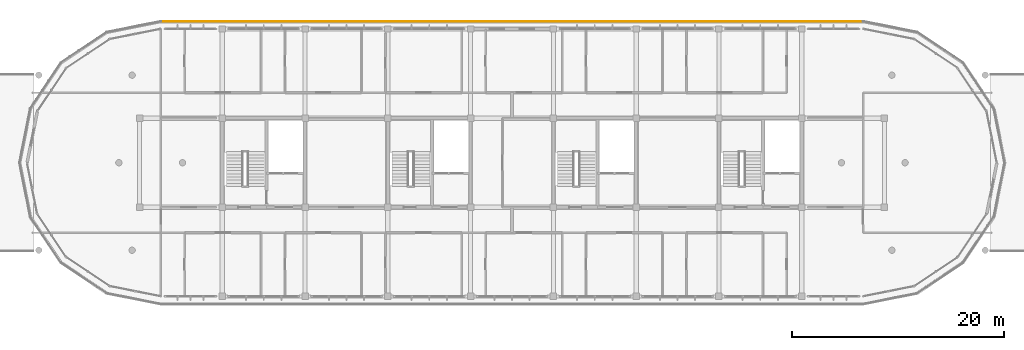
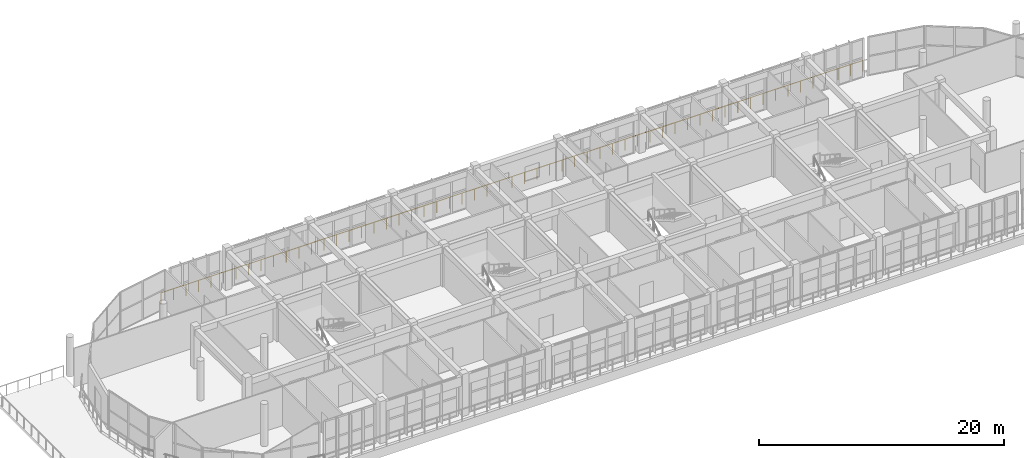
# One storey, part 49 of 50: 1 railing.
"""IFC4 building model written with IfcOpenShell, lengths in metres."""

import ifcopenshell
import ifcopenshell.guid

model = None  # the IFC model being written
_history = None  # IfcOwnerHistory: only IFC2X3 demands one
_inside = {}  # id of a spatial element -> (the spatial element, [elements in it])
_under = {}  # id of a project, library or spatial element -> (it, [spatial elements below it])
_declared = {}  # id of a project -> (the project, [libraries it declares])
_typed = {}  # id of a type object -> (the type object, [elements of that type])
_made_of = {}  # id of a material, layer set ... -> (it, [elements and type objects made of it])


def new_model(schema):
    """Start an empty IFC model of exactly this schema.

    Asked for "IFC4X3", IfcOpenShell would pick the latest addendum, in which some entities
    have other attributes; the version numbers below select the first issue.
    IFC2X3 requires an IfcOwnerHistory on every rooted entity: one is made here for all.
    """
    global model, _history
    if schema == "IFC4X3":
        model = ifcopenshell.file(schema_version=(4, 3, 0, 0))
    else:
        model = ifcopenshell.file(schema=schema)
    _inside.clear()
    _under.clear()
    _declared.clear()
    _typed.clear()
    _made_of.clear()
    _history = None
    if model.schema == "IFC2X3":
        org = make("IfcOrganization", Name="unknown")
        user = make(
            "IfcPersonAndOrganization",
            ThePerson=make("IfcPerson", FamilyName="unknown"),
            TheOrganization=org,
        )
        app = make(
            "IfcApplication",
            ApplicationDeveloper=org,
            Version="unknown",
            ApplicationFullName="unknown",
            ApplicationIdentifier="unknown",
        )
        _history = make(
            "IfcOwnerHistory",
            OwningUser=user,
            OwningApplication=app,
            ChangeAction="ADDED",
            CreationDate=0,
        )
    return model


def make(cls, **values):
    """One entity of the class cls with the attributes given. An attribute that is None is left unset."""
    return model.create_entity(
        cls, **{name: value for name, value in values.items() if value is not None}
    )


def rooted(cls, **values):
    """An entity with a GlobalId (a new one), such as an element, a storey or a relation."""
    return make(cls, GlobalId=ifcopenshell.guid.new(), OwnerHistory=_history, **values)


def si_unit(unit_type, name, prefix=None):
    """IfcSIUnit, for example si_unit("LENGTHUNIT", "METRE", prefix="MILLI")."""
    return make("IfcSIUnit", UnitType=unit_type, Prefix=prefix, Name=name)


def assignment(units):
    """IfcUnitAssignment: the units of a project."""
    return None if units is None else make("IfcUnitAssignment", Units=units)


def point(xyz):
    """IfcCartesianPoint."""
    return None if xyz is None else make("IfcCartesianPoint", Coordinates=xyz)


def direction(xyz):
    """IfcDirection."""
    return None if xyz is None else make("IfcDirection", DirectionRatios=xyz)


def frame(location, z_axis=None, x_axis=None):
    """IfcAxis2Placement3D, a coordinate frame: its origin and axes. An axis left out is left unset."""
    return make(
        "IfcAxis2Placement3D",
        Location=point(location),
        Axis=direction(z_axis),
        RefDirection=direction(x_axis),
    )


def frame_2d(location, x_axis=None):
    """IfcAxis2Placement2D, a coordinate frame in the plane: its origin and x axis."""
    return make(
        "IfcAxis2Placement2D", Location=point(location), RefDirection=direction(x_axis)
    )


def origin():
    """The frame at (0, 0, 0) with its axes left unset."""
    return frame((0.0, 0.0, 0.0))


def origin_2d():
    """The frame at (0, 0) in the plane with its x axis left unset."""
    return frame_2d((0.0, 0.0))


def place(relative_to, where):
    """IfcLocalPlacement: puts the frame where relative to a parent placement (None: the world)."""
    return make(
        "IfcLocalPlacement", PlacementRelTo=relative_to, RelativePlacement=where
    )


def context(
    kind, dimensions, precision=None, world=None, true_north=None, identifier=None
):
    """IfcGeometricRepresentationContext, for example the 3D "Model" context."""
    return make(
        "IfcGeometricRepresentationContext",
        ContextIdentifier=identifier,
        ContextType=kind,
        CoordinateSpaceDimension=dimensions,
        Precision=precision,
        WorldCoordinateSystem=world,
        TrueNorth=true_north,
    )


def subcontext(parent, identifier, kind, view, scale=None):
    """IfcGeometricRepresentationSubContext, for example "Body" below "Model"."""
    return make(
        "IfcGeometricRepresentationSubContext",
        ContextIdentifier=identifier,
        ContextType=kind,
        ParentContext=parent,
        TargetScale=scale,
        TargetView=view,
    )


def project(units=None, contexts=None):
    """IfcProject with its units and contexts."""
    return rooted(
        "IfcProject",
        Name="project",
        RepresentationContexts=contexts,
        UnitsInContext=assignment(units),
    )


def spatial(cls, under=None, at=None, **own):
    """A site, building, storey or space (cls), placed at a placement, below another one or the project."""
    s = rooted(cls, ObjectPlacement=at, **own)
    if under is not None:
        _under.setdefault(under.id(), (under, []))[1].append(s)
    return s


def profile(cls, at=None, kind="AREA", **sizes):
    """A parametric profile (cls). Its sizes go by their IFC names, for example OverallWidth=200.0."""
    return make(cls, ProfileType=kind, Position=at, **sizes)


def circle(**sizes):
    """IfcCircleProfileDef."""
    return profile("IfcCircleProfileDef", **sizes)


def hollow_circle(**sizes):
    """IfcCircleHollowProfileDef."""
    return profile("IfcCircleHollowProfileDef", **sizes)


def extrude(swept, where, along, depth):
    """IfcExtrudedAreaSolid: the profile swept, set in the frame where, extruded along a direction by depth."""
    return make(
        "IfcExtrudedAreaSolid",
        SweptArea=swept,
        Position=where,
        ExtrudedDirection=direction(along),
        Depth=depth,
    )


def shape(context_of_items, identifier, shape_type, items):
    """IfcShapeRepresentation: the items that make up one representation, for example the "Body"."""
    return make(
        "IfcShapeRepresentation",
        ContextOfItems=context_of_items,
        RepresentationIdentifier=identifier,
        RepresentationType=shape_type,
        Items=items,
    )


def material(Name=None, Category=None):
    """IfcMaterial."""
    return make("IfcMaterial", Name=Name, Category=Category)


def material_profile(
    of_material, cross_section, Name=None, Category=None, Priority=None
):
    """IfcMaterialProfile: a cross section and its material."""
    return make(
        "IfcMaterialProfile",
        Name=Name,
        Material=of_material,
        Profile=cross_section,
        Priority=Priority,
        Category=Category,
    )


def profile_set(profiles, Name=None, composite=None):
    """IfcMaterialProfileSet."""
    return make(
        "IfcMaterialProfileSet",
        Name=Name,
        MaterialProfiles=profiles,
        CompositeProfile=composite,
    )


def made_of(thing, what):
    """Note that an element or type object is made of a material, layer set ...; save() writes the relation."""
    if what is not None:
        _made_of.setdefault(what.id(), (what, []))[1].append(thing)
    return thing


def type_object(cls, material=None, **own):
    """A type object (cls), such as IfcWallType, which elements share."""
    return made_of(rooted(cls, **own), material)


def element(
    cls,
    number,
    at=None,
    inside=None,
    cuts=None,
    type_object=None,
    material=None,
    context=None,
    identifier="Body",
    shape_type=None,
    held_by="IfcProductDefinitionShape",
    body=None,
    shapes=None,
    **own,
):
    """One element of the class cls, such as IfcWall. Its Tag is "e" and its number.

    at: its placement. inside: the storey or other place that contains it. cuts: it is an
    opening in that element (IfcRelVoidsElement). A single representation is given by context,
    identifier, shape_type and body (its items); several are given by shapes. held_by: the class
    of the entity that holds the representations. save() writes the other relations.
    """
    e = rooted(cls, Tag="e%d" % number, ObjectPlacement=at, **own)
    if body is not None:
        shapes = [shape(context, identifier, shape_type, body)]
    if shapes is not None:
        e.Representation = make(held_by, Representations=shapes)
    if inside is not None:
        _inside.setdefault(inside.id(), (inside, []))[1].append(e)
    if cuts is not None:
        rooted(
            "IfcRelVoidsElement", RelatingBuildingElement=cuts, RelatedOpeningElement=e
        )
    if type_object is not None:
        _typed.setdefault(type_object.id(), (type_object, []))[1].append(e)
    return made_of(e, material)


def aggregate(whole, parts):
    """IfcRelAggregates: a whole, such as a stair, and the parts it consists of."""
    return rooted("IfcRelAggregates", RelatingObject=whole, RelatedObjects=parts)


def save(model, path):
    """Write the relations noted so far, then the file.

    IfcRelAggregates (storeys below a building ...), IfcRelContainedInSpatialStructure (elements
    in a storey), IfcRelDefinesByType, IfcRelAssociatesMaterial and IfcRelDeclares: one each for
    every whole, place, type object, material and project.
    """
    for whole, parts in _under.values():
        aggregate(whole, parts)
    for where, things in _inside.values():
        rooted(
            "IfcRelContainedInSpatialStructure",
            RelatedElements=things,
            RelatingStructure=where,
        )
    for kind, things in _typed.values():
        rooted("IfcRelDefinesByType", RelatedObjects=things, RelatingType=kind)
    for what, things in _made_of.values():
        rooted("IfcRelAssociatesMaterial", RelatedObjects=things, RelatingMaterial=what)
    for by, libraries in _declared.values():
        rooted("IfcRelDeclares", RelatingContext=by, RelatedDefinitions=libraries)
    model.write(path)


model = new_model("IFC4")

# Units and contexts
model_context = context("Model", 3, precision=1e-05, world=origin(), true_north=direction((0.0, 1.0)))
body_context = subcontext(model_context, "Body", "Model", "MODEL_VIEW")
ifc_project = project(units=[si_unit("LENGTHUNIT", "METRE"), si_unit("AREAUNIT", "SQUARE_METRE"), si_unit("VOLUMEUNIT", "CUBIC_METRE"), si_unit("PLANEANGLEUNIT", "RADIAN"), si_unit("MASSUNIT", "GRAM", prefix="KILO")], contexts=[model_context])

# Site, building, storey
site_placement = place(None, origin())
site = spatial("IfcSite", under=ifc_project, at=site_placement, CompositionType="ELEMENT")
building_placement = place(site_placement, origin())
building = spatial("IfcBuilding", under=site, at=building_placement, Name="Zizhar Promenade General Hospital", CompositionType="ELEMENT")
storey_placement = place(building_placement, frame((0.0, 0.0, 30.60009765625)))
storey = spatial("IfcBuildingStorey", under=building, at=storey_placement, Name="L07", CompositionType="ELEMENT", Elevation=30.60009765625)

# Railing
ifc_material = material(Name="Anodised aluminium 6063-T6", Category="aluminium")
ifc_material_profile = material_profile(ifc_material, hollow_circle(Radius=0.06982421875, WallThickness=0.00634765625, at=origin_2d()))
ifc_profile_set = profile_set([ifc_material_profile], Name="Anodised aluminium 6063-T6")
railing_type = type_object("IfcRailingType", Name="RL-GUARD-TERR-1100", PredefinedType="GUARDRAIL", material=ifc_profile_set)
railing_placement = place(storey_placement, frame((107.199951171875, 25.919921875, 0.0)))
element("IfcRailing", 1, at=railing_placement, inside=storey, type_object=railing_type, Name="Perimeter Safety Guardrail L07-09", PredefinedType="GUARDRAIL", context=body_context, shape_type="SweptSolid", body=[
    extrude(circle(Radius=0.02392578125, at=origin_2d()), frame((0.0, 0.0, 1.09619140625), z_axis=(-1.0, 0.0, 0.0), x_axis=(0.0, -1.0, 0.0)), (0.0, 0.0, 1.0), 66.199951171875),
    extrude(circle(Radius=0.02099609375, at=origin_2d()), origin(), (0.0, 0.0, 1.0), 1.072021484375),
    extrude(circle(Radius=0.02099609375, at=origin_2d()), frame((-1.18212890625, 0.0, 0.0)), (0.0, 0.0, 1.0), 1.072021484375),
    extrude(circle(Radius=0.02099609375, at=origin_2d()), frame((-2.3642578125, 0.0, 0.0)), (0.0, 0.0, 1.0), 1.072021484375),
    extrude(circle(Radius=0.02099609375, at=origin_2d()), frame((-3.54638671875, 0.0, 0.0)), (0.0, 0.0, 1.0), 1.072021484375),
    extrude(circle(Radius=0.02099609375, at=origin_2d()), frame((-4.728515625, 0.0, 0.0)), (0.0, 0.0, 1.0), 1.072021484375),
    extrude(circle(Radius=0.02099609375, at=origin_2d()), frame((-5.91064453125, 0.0, 0.0)), (0.0, 0.0, 1.0), 1.072021484375),
    extrude(circle(Radius=0.02099609375, at=origin_2d()), frame((-7.0927734375, 0.0, 0.0)), (0.0, 0.0, 1.0), 1.072021484375),
    extrude(circle(Radius=0.02099609375, at=origin_2d()), frame((-8.27490234375, 0.0, 0.0)), (0.0, 0.0, 1.0), 1.072021484375),
    extrude(circle(Radius=0.02099609375, at=origin_2d()), frame((-9.45703125, 0.0, 0.0)), (0.0, 0.0, 1.0), 1.072021484375),
    extrude(circle(Radius=0.02099609375, at=origin_2d()), frame((-10.63916015625, 0.0, 0.0)), (0.0, 0.0, 1.0), 1.072021484375),
    extrude(circle(Radius=0.02099609375, at=origin_2d()), frame((-11.821533203125, 0.0, 0.0)), (0.0, 0.0, 1.0), 1.072021484375),
    extrude(circle(Radius=0.02099609375, at=origin_2d()), frame((-13.003662109375, 0.0, 0.0)), (0.0, 0.0, 1.0), 1.072021484375),
    extrude(circle(Radius=0.02099609375, at=origin_2d()), frame((-14.185791015625, 0.0, 0.0)), (0.0, 0.0, 1.0), 1.072021484375),
    extrude(circle(Radius=0.02099609375, at=origin_2d()), frame((-15.367919921875, 0.0, 0.0)), (0.0, 0.0, 1.0), 1.072021484375),
    extrude(circle(Radius=0.02099609375, at=origin_2d()), frame((-16.550048828125, 0.0, 0.0)), (0.0, 0.0, 1.0), 1.072021484375),
    extrude(circle(Radius=0.02099609375, at=origin_2d()), frame((-17.732177734375, 0.0, 0.0)), (0.0, 0.0, 1.0), 1.072021484375),
    extrude(circle(Radius=0.02099609375, at=origin_2d()), frame((-18.914306640625, 0.0, 0.0)), (0.0, 0.0, 1.0), 1.072021484375),
    extrude(circle(Radius=0.02099609375, at=origin_2d()), frame((-20.096435546875, 0.0, 0.0)), (0.0, 0.0, 1.0), 1.072021484375),
    extrude(circle(Radius=0.02099609375, at=origin_2d()), frame((-21.278564453125, 0.0, 0.0)), (0.0, 0.0, 1.0), 1.072021484375),
    extrude(circle(Radius=0.02099609375, at=origin_2d()), frame((-22.460693359375, 0.0, 0.0)), (0.0, 0.0, 1.0), 1.072021484375),
    extrude(circle(Radius=0.02099609375, at=origin_2d()), frame((-23.642822265625, 0.0, 0.0)), (0.0, 0.0, 1.0), 1.072021484375),
    extrude(circle(Radius=0.02099609375, at=origin_2d()), frame((-24.824951171875, 0.0, 0.0)), (0.0, 0.0, 1.0), 1.072021484375),
    extrude(circle(Radius=0.02099609375, at=origin_2d()), frame((-26.007080078125, 0.0, 0.0)), (0.0, 0.0, 1.0), 1.072021484375),
    extrude(circle(Radius=0.02099609375, at=origin_2d()), frame((-27.189208984375, 0.0, 0.0)), (0.0, 0.0, 1.0), 1.072021484375),
    extrude(circle(Radius=0.02099609375, at=origin_2d()), frame((-28.371337890625, 0.0, 0.0)), (0.0, 0.0, 1.0), 1.072021484375),
    extrude(circle(Radius=0.02099609375, at=origin_2d()), frame((-29.553466796875, 0.0, 0.0)), (0.0, 0.0, 1.0), 1.072021484375),
    extrude(circle(Radius=0.02099609375, at=origin_2d()), frame((-30.735595703125, 0.0, 0.0)), (0.0, 0.0, 1.0), 1.072021484375),
    extrude(circle(Radius=0.02099609375, at=origin_2d()), frame((-31.917724609375, 0.0, 0.0)), (0.0, 0.0, 1.0), 1.072021484375),
    extrude(circle(Radius=0.02099609375, at=origin_2d()), frame((-33.10009765625, 0.0, 0.0)), (0.0, 0.0, 1.0), 1.072021484375),
    extrude(circle(Radius=0.02099609375, at=origin_2d()), frame((-34.2822265625, 0.0, 0.0)), (0.0, 0.0, 1.0), 1.072021484375),
    extrude(circle(Radius=0.02099609375, at=origin_2d()), frame((-35.46435546875, 0.0, 0.0)), (0.0, 0.0, 1.0), 1.072021484375),
    extrude(circle(Radius=0.02099609375, at=origin_2d()), frame((-36.646484375, 0.0, 0.0)), (0.0, 0.0, 1.0), 1.072021484375),
    extrude(circle(Radius=0.02099609375, at=origin_2d()), frame((-37.82861328125, 0.0, 0.0)), (0.0, 0.0, 1.0), 1.072021484375),
    extrude(circle(Radius=0.02099609375, at=origin_2d()), frame((-39.0107421875, 0.0, 0.0)), (0.0, 0.0, 1.0), 1.072021484375),
    extrude(circle(Radius=0.02099609375, at=origin_2d()), frame((-40.19287109375, 0.0, 0.0)), (0.0, 0.0, 1.0), 1.072021484375),
    extrude(circle(Radius=0.02099609375, at=origin_2d()), frame((-41.375, 0.0, 0.0)), (0.0, 0.0, 1.0), 1.072021484375),
    extrude(circle(Radius=0.02099609375, at=origin_2d()), frame((-42.55712890625, 0.0, 0.0)), (0.0, 0.0, 1.0), 1.072021484375),
    extrude(circle(Radius=0.02099609375, at=origin_2d()), frame((-43.7392578125, 0.0, 0.0)), (0.0, 0.0, 1.0), 1.072021484375),
    extrude(circle(Radius=0.02099609375, at=origin_2d()), frame((-44.92138671875, 0.0, 0.0)), (0.0, 0.0, 1.0), 1.072021484375),
    extrude(circle(Radius=0.02099609375, at=origin_2d()), frame((-46.103515625, 0.0, 0.0)), (0.0, 0.0, 1.0), 1.072021484375),
    extrude(circle(Radius=0.02099609375, at=origin_2d()), frame((-47.28564453125, 0.0, 0.0)), (0.0, 0.0, 1.0), 1.072021484375),
    extrude(circle(Radius=0.02099609375, at=origin_2d()), frame((-48.4677734375, 0.0, 0.0)), (0.0, 0.0, 1.0), 1.072021484375),
    extrude(circle(Radius=0.02099609375, at=origin_2d()), frame((-49.64990234375, 0.0, 0.0)), (0.0, 0.0, 1.0), 1.072021484375),
    extrude(circle(Radius=0.02099609375, at=origin_2d()), frame((-50.83203125, 0.0, 0.0)), (0.0, 0.0, 1.0), 1.072021484375),
    extrude(circle(Radius=0.02099609375, at=origin_2d()), frame((-52.01416015625, 0.0, 0.0)), (0.0, 0.0, 1.0), 1.072021484375),
    extrude(circle(Radius=0.02099609375, at=origin_2d()), frame((-53.1962890625, 0.0, 0.0)), (0.0, 0.0, 1.0), 1.072021484375),
    extrude(circle(Radius=0.02099609375, at=origin_2d()), frame((-54.37841796875, 0.0, 0.0)), (0.0, 0.0, 1.0), 1.072021484375),
    extrude(circle(Radius=0.02099609375, at=origin_2d()), frame((-55.560791015625, 0.0, 0.0)), (0.0, 0.0, 1.0), 1.072021484375),
    extrude(circle(Radius=0.02099609375, at=origin_2d()), frame((-56.742919921875, 0.0, 0.0)), (0.0, 0.0, 1.0), 1.072021484375),
    extrude(circle(Radius=0.02099609375, at=origin_2d()), frame((-57.925048828125, 0.0, 0.0)), (0.0, 0.0, 1.0), 1.072021484375),
    extrude(circle(Radius=0.02099609375, at=origin_2d()), frame((-59.107177734375, 0.0, 0.0)), (0.0, 0.0, 1.0), 1.072021484375),
    extrude(circle(Radius=0.02099609375, at=origin_2d()), frame((-60.289306640625, 0.0, 0.0)), (0.0, 0.0, 1.0), 1.072021484375),
    extrude(circle(Radius=0.02099609375, at=origin_2d()), frame((-61.471435546875, 0.0, 0.0)), (0.0, 0.0, 1.0), 1.072021484375),
    extrude(circle(Radius=0.02099609375, at=origin_2d()), frame((-62.653564453125, 0.0, 0.0)), (0.0, 0.0, 1.0), 1.072021484375),
    extrude(circle(Radius=0.02099609375, at=origin_2d()), frame((-63.835693359375, 0.0, 0.0)), (0.0, 0.0, 1.0), 1.072021484375),
    extrude(circle(Radius=0.02099609375, at=origin_2d()), frame((-65.017822265625, 0.0, 0.0)), (0.0, 0.0, 1.0), 1.072021484375),
    extrude(circle(Radius=0.02099609375, at=origin_2d()), frame((-66.199951171875, 0.0, 0.0)), (0.0, 0.0, 1.0), 1.072021484375),
])

save(model, "model.ifc")
